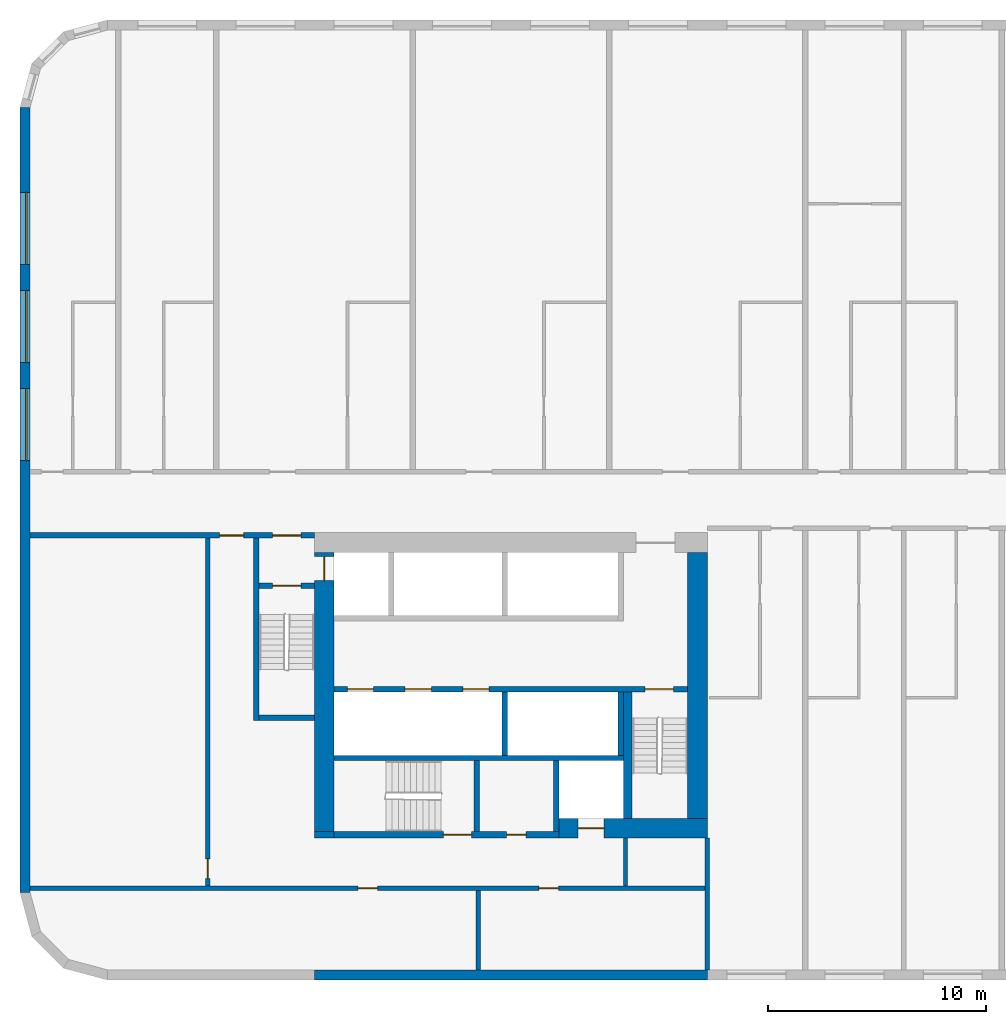
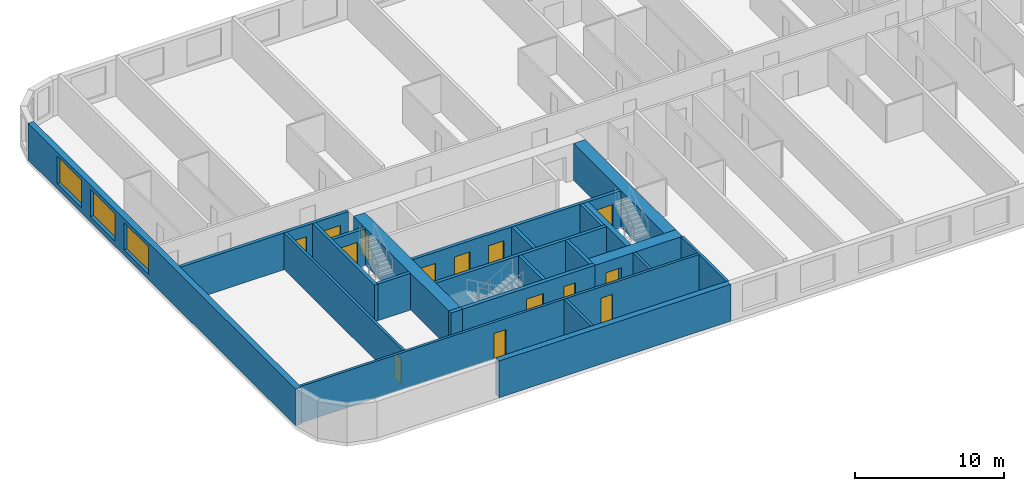
# One storey, part 2 of 12: 23 walls, 14 doors, 3 windows, 17 openings.
"""IFC4 building model written with IfcOpenShell, lengths in metres."""

from ifc_helpers import new_model, si_unit, direction, frame, frame_2d, origin, place, context, subcontext, project, spatial, rectangle, extrude, material, layer, layer_set, type_object, element, fill, save


model = new_model("IFC4")

# Units and contexts
model_context = context("Model", 3, precision=1e-05, world=origin(), true_north=direction((0.0, 1.0)))
body_context = subcontext(model_context, "Body", "Model", "MODEL_VIEW")
ifc_project = project(units=[si_unit("LENGTHUNIT", "METRE"), si_unit("AREAUNIT", "SQUARE_METRE"), si_unit("VOLUMEUNIT", "CUBIC_METRE"), si_unit("PLANEANGLEUNIT", "RADIAN"), si_unit("MASSUNIT", "GRAM", prefix="KILO")], contexts=[model_context])

# Site, building, storey
site_placement = place(None, origin())
site = spatial("IfcSite", under=ifc_project, at=site_placement, CompositionType="ELEMENT")
building_placement = place(site_placement, origin())
building = spatial("IfcBuilding", under=site, at=building_placement, Name="Kajstack Hotel Tower", CompositionType="ELEMENT")
storey_placement = place(building_placement, frame((0.0, 0.0, 83.10009765625)))
storey = spatial("IfcBuildingStorey", under=building, at=storey_placement, Name="L16", CompositionType="ELEMENT", Elevation=83.10009765625)

# Wall, opening, door
ifc_material_1 = material(Name="Concrete C60/75", Category="concrete")
ifc_layer_1 = layer(ifc_material_1, 0.89990234375)
ifc_layer_set_1 = layer_set([ifc_layer_1], Name="Core wall 900")
wall_type_1 = type_object("IfcWallType", Name="Core wall 900", PredefinedType="SHEAR", material=ifc_layer_set_1)
wall_1_placement = place(storey_placement, frame((-20.300048828125, -15.050048828125, 0.0), z_axis=(0.0, 0.0, 1.0), x_axis=(1.0, 0.0, 0.0)))
wall_1 = element("IfcWall", 1, at=wall_1_placement, inside=storey, type_object=wall_type_1, Name="Core wall W RS", PredefinedType="SHEAR", context=body_context, shape_type="SweptSolid", body=[
    extrude(rectangle(XDim=6.800048828125, YDim=0.89990234375, at=frame_2d((3.39990234375, 0.0))), origin(), (0.0, 0.0, 1.0), 3.02001953125),
])
opening_1_placement = place(wall_1_placement, frame((0.875, 0.0, 0.0)))
opening_1 = element("IfcOpeningElement", 2, at=opening_1_placement, cuts=wall_1, Name="Opening LD-SV1", PredefinedType="OPENING", context=body_context, shape_type="SweptSolid", body=[
    extrude(rectangle(XDim=1.199951171875, YDim=2.10009765625, at=frame_2d((0.60009765625, 1.050048828125))), frame((0.0, 0.4599609375, 0.0), z_axis=(0.0, -1.0, 0.0), x_axis=(1.0, 0.0, 0.0)), (0.0, 0.0, 1.0), 0.919921875),
])
ifc_material_2 = material(Name="Stainless steel", Category="steel")
door_type_1 = type_object("IfcDoorType", Name="Lift landing door 1200", OperationType="SLIDING_TO_LEFT", PredefinedType="DOOR", material=ifc_material_2)
door_1_placement = place(opening_1_placement, origin())
door_1 = element("IfcDoor", 3, at=door_1_placement, inside=storey, type_object=door_type_1, Name="Landing door SV1", OperationType="SLIDING_TO_LEFT", OverallHeight=2.10009765625, OverallWidth=1.199951171875, PredefinedType="DOOR", context=body_context, shape_type="SweptSolid", body=[
    extrude(rectangle(XDim=1.199951171875, YDim=2.10009765625, at=frame_2d((0.60009765625, 1.050048828125))), frame((0.0, 0.02490234375, 0.0), z_axis=(0.0, -1.0, 0.0), x_axis=(1.0, 0.0, 0.0)), (0.0, 0.0, 1.0), 0.050048828125),
])
fill(opening_1, door_1)

# Wall
wall_2_placement = place(storey_placement, frame((-31.5, -15.35009765625, 0.0), z_axis=(0.0, 0.0, 1.0), x_axis=(1.0, 0.0, 0.0)))
element("IfcWall", 4, at=wall_2_placement, inside=storey, type_object=wall_type_1, Name="Core wall W RSW", PredefinedType="SHEAR", context=body_context, shape_type="SweptSolid", body=[
    extrude(rectangle(XDim=0.89990234375, YDim=0.300048828125, at=frame_2d((0.449951171875, 0.0))), origin(), (0.0, 0.0, 1.0), 3.02001953125),
])

# Wall, opening, door
wall_3_placement = place(storey_placement, frame((-31.050048828125, -15.199951171875, 0.0), z_axis=(0.0, 0.0, 1.0), x_axis=(0.0, 1.0, 0.0)))
wall_3 = element("IfcWall", 5, at=wall_3_placement, inside=storey, type_object=wall_type_1, Name="Core wall W RW", PredefinedType="SHEAR", context=body_context, shape_type="SweptSolid", body=[
    extrude(rectangle(XDim=12.800048828125, YDim=0.89990234375, at=frame_2d((6.39990234375, 0.0))), origin(), (0.0, 0.0, 1.0), 3.02001953125),
])
opening_2_placement = place(wall_3_placement, frame((11.5, 0.0, 0.0)))
opening_2 = element("IfcOpeningElement", 6, at=opening_2_placement, cuts=wall_3, Name="Opening LD-FF1", PredefinedType="OPENING", context=body_context, shape_type="SweptSolid", body=[
    extrude(rectangle(XDim=1.10009765625, YDim=2.10009765625, at=frame_2d((0.550048828125, 1.050048828125))), frame((0.0, 0.4599609375, 0.0), z_axis=(0.0, -1.0, 0.0), x_axis=(1.0, 0.0, 0.0)), (0.0, 0.0, 1.0), 0.919921875),
])
door_type_2 = type_object("IfcDoorType", Name="Fire-fighting lift landing door 1100", OperationType="SLIDING_TO_LEFT", PredefinedType="DOOR", material=ifc_material_2)
door_2_placement = place(opening_2_placement, origin())
door_2 = element("IfcDoor", 7, at=door_2_placement, inside=storey, type_object=door_type_2, Name="Landing door FF1", OperationType="SLIDING_TO_RIGHT", OverallHeight=2.10009765625, OverallWidth=1.10009765625, PredefinedType="DOOR", context=body_context, shape_type="SweptSolid", body=[
    extrude(rectangle(XDim=1.10009765625, YDim=2.10009765625, at=frame_2d((0.550048828125, 1.050048828125))), frame((0.0, 0.02490234375, 0.0), z_axis=(0.0, -1.0, 0.0), x_axis=(1.0, 0.0, 0.0)), (0.0, 0.0, 1.0), 0.050048828125),
])
fill(opening_2, door_2)

# Walls
wall_4_placement = place(storey_placement, frame((-13.949951171875, -14.60009765625, 0.0), z_axis=(0.0, 0.0, 1.0), x_axis=(0.0, 1.0, 0.0)))
element("IfcWall", 8, at=wall_4_placement, inside=storey, type_object=wall_type_1, Name="Core wall W RE", PredefinedType="SHEAR", context=body_context, shape_type="SweptSolid", body=[
    extrude(rectangle(XDim=12.2001953125, YDim=0.89990234375, at=frame_2d((6.10009765625, 0.0))), origin(), (0.0, 0.0, 1.0), 3.02001953125),
])
ifc_material_3 = material(Name="Twin-frame gypsum board on steel studs, mineral wool", Category="steel")
ifc_layer_2 = layer(ifc_material_3, 0.199951171875)
ifc_layer_set_2 = layer_set([ifc_layer_2], Name="Demising wall 200")
wall_type_2 = type_object("IfcWallType", Name="Demising wall 200", PredefinedType="PARTITIONING", material=ifc_layer_set_2)
wall_5_placement = place(storey_placement, frame((-13.5, -21.550048828125, 0.0), z_axis=(0.0, 0.0, 1.0), x_axis=(0.0, 1.0, 0.0)))
element("IfcWall", 9, at=wall_5_placement, inside=storey, type_object=wall_type_2, Name="G-wall-L16-002", PredefinedType="PARTITIONING", context=body_context, shape_type="SweptSolid", body=[
    extrude(rectangle(XDim=6.050048828125, YDim=0.199951171875, at=frame_2d((3.02490234375, 0.0))), origin(), (0.0, 0.0, 1.0), 3.02001953125),
])
ifc_material_4 = material(Name="Concrete C40/50", Category="concrete")
ifc_layer_3 = layer(ifc_material_4, 0.449951171875)
ifc_layer_set_3 = layer_set([ifc_layer_3], Name="EW-CORE")
wall_type_3 = type_object("IfcWallType", Name="EW-CORE", PredefinedType="SOLIDWALL", material=ifc_layer_set_3)
wall_6_placement = place(storey_placement, frame((-31.5, -21.77490234375, 0.0), z_axis=(0.0, 0.0, 1.0), x_axis=(1.0, 0.0, 0.0)))
element("IfcWall", 10, at=wall_6_placement, inside=storey, type_object=wall_type_3, Name="E-wall-L16-03-01", PredefinedType="SOLIDWALL", context=body_context, shape_type="SweptSolid", body=[
    extrude(rectangle(XDim=18.0, YDim=0.449951171875, at=frame_2d((9.0, 0.0))), origin(), (0.0, 0.0, 1.0), 3.02001953125),
])

# Wall, openings, windows
ifc_material_5 = material(Name="Terracotta-faced brick masonry", Category="masonry")
ifc_layer_4 = layer(ifc_material_5, 0.449951171875)
ifc_layer_set_4 = layer_set([ifc_layer_4], Name="EW-TERRA")
wall_type_4 = type_object("IfcWallType", Name="EW-TERRA", PredefinedType="SOLIDWALL", material=ifc_layer_set_4)
wall_7_placement = place(storey_placement, frame((-44.77490234375, 18.0, 0.0), z_axis=(0.0, 0.0, 1.0), x_axis=(0.0, -1.0, 0.0)))
wall_7 = element("IfcWall", 11, at=wall_7_placement, inside=storey, type_object=wall_type_4, Name="E-wall-L16-15-00", PredefinedType="SOLIDWALL", context=body_context, shape_type="SweptSolid", body=[
    extrude(rectangle(XDim=36.0, YDim=0.449951171875, at=frame_2d((18.0, 0.0))), origin(), (0.0, 0.0, 1.0), 3.02001953125),
])
opening_3_placement = place(wall_7_placement, frame((3.89990234375, 0.0, 0.449951171875)))
opening_3 = element("IfcOpeningElement", 12, at=opening_3_placement, cuts=wall_7, Name="Opening W2", PredefinedType="OPENING", context=body_context, shape_type="SweptSolid", body=[
    extrude(rectangle(XDim=3.300048828125, YDim=2.25, at=frame_2d((1.64990234375, 1.125))), frame((0.0, 0.23486328125, 0.0), z_axis=(0.0, -1.0, 0.0), x_axis=(1.0, 0.0, 0.0)), (0.0, 0.0, 1.0), 0.469970703125),
])
opening_4_placement = place(wall_7_placement, frame((8.39990234375, 0.0, 0.449951171875)))
opening_4 = element("IfcOpeningElement", 13, at=opening_4_placement, cuts=wall_7, Name="Opening W2", PredefinedType="OPENING", context=body_context, shape_type="SweptSolid", body=[
    extrude(rectangle(XDim=3.300048828125, YDim=2.25, at=frame_2d((1.64990234375, 1.125))), frame((0.0, 0.23486328125, 0.0), z_axis=(0.0, -1.0, 0.0), x_axis=(1.0, 0.0, 0.0)), (0.0, 0.0, 1.0), 0.469970703125),
])
opening_5_placement = place(wall_7_placement, frame((12.89990234375, 0.0, 0.449951171875)))
opening_5 = element("IfcOpeningElement", 14, at=opening_5_placement, cuts=wall_7, Name="Opening W2", PredefinedType="OPENING", context=body_context, shape_type="SweptSolid", body=[
    extrude(rectangle(XDim=3.300048828125, YDim=2.25, at=frame_2d((1.64990234375, 1.125))), frame((0.0, 0.23486328125, 0.0), z_axis=(0.0, -1.0, 0.0), x_axis=(1.0, 0.0, 0.0)), (0.0, 0.0, 1.0), 0.469970703125),
])
ifc_material_6 = material(Name="Timber-aluminium window, triple glazed", Category="wood")
window_type = type_object("IfcWindowType", Name="WG2", PartitioningType="SINGLE_PANEL", PredefinedType="WINDOW", material=ifc_material_6)
window_1_placement = place(opening_3_placement, origin())
window_1 = element("IfcWindow", 15, at=window_1_placement, inside=storey, type_object=window_type, Name="Window W2 L16-15", OverallHeight=2.25, OverallWidth=3.300048828125, PartitioningType="SINGLE_PANEL", PredefinedType="WINDOW", context=body_context, shape_type="SweptSolid", body=[
    extrude(rectangle(XDim=3.300048828125, YDim=2.25, at=frame_2d((1.64990234375, 1.125))), frame((0.0, 0.090087890625, 0.0), z_axis=(0.0, -1.0, 0.0), x_axis=(1.0, 0.0, 0.0)), (0.0, 0.0, 1.0), 0.06005859375),
])
fill(opening_3, window_1)
window_2_placement = place(opening_4_placement, origin())
window_2 = element("IfcWindow", 16, at=window_2_placement, inside=storey, type_object=window_type, Name="Window W2 L16-15", OverallHeight=2.25, OverallWidth=3.300048828125, PartitioningType="SINGLE_PANEL", PredefinedType="WINDOW", context=body_context, shape_type="SweptSolid", body=[
    extrude(rectangle(XDim=3.300048828125, YDim=2.25, at=frame_2d((1.64990234375, 1.125))), frame((0.0, 0.090087890625, 0.0), z_axis=(0.0, -1.0, 0.0), x_axis=(1.0, 0.0, 0.0)), (0.0, 0.0, 1.0), 0.06005859375),
])
fill(opening_4, window_2)
window_3_placement = place(opening_5_placement, origin())
window_3 = element("IfcWindow", 17, at=window_3_placement, inside=storey, type_object=window_type, Name="Window W2 L16-15", OverallHeight=2.25, OverallWidth=3.300048828125, PartitioningType="SINGLE_PANEL", PredefinedType="WINDOW", context=body_context, shape_type="SweptSolid", body=[
    extrude(rectangle(XDim=3.300048828125, YDim=2.25, at=frame_2d((1.64990234375, 1.125))), frame((0.0, 0.090087890625, 0.0), z_axis=(0.0, -1.0, 0.0), x_axis=(1.0, 0.0, 0.0)), (0.0, 0.0, 1.0), 0.06005859375),
])
fill(opening_5, window_3)

# Wall
ifc_material_7 = material(Name="Concrete C50/60", Category="concrete")
ifc_layer_5 = layer(ifc_material_7, 0.300048828125)
ifc_layer_set_5 = layer_set([ifc_layer_5], Name="Hoistway divider wall 300")
wall_type_5 = type_object("IfcWallType", Name="Hoistway divider wall 300", PredefinedType="SHEAR", material=ifc_layer_set_5)
wall_8_placement = place(storey_placement, frame((-22.77490234375, -11.699951171875, 0.0), z_axis=(0.0, 0.0, 1.0), x_axis=(0.0, 1.0, 0.0)))
element("IfcWall", 18, at=wall_8_placement, inside=storey, type_object=wall_type_5, Name="Core wall W BP2", PredefinedType="SHEAR", context=body_context, shape_type="SweptSolid", body=[
    extrude(rectangle(XDim=2.89990234375, YDim=0.25, at=frame_2d((1.449951171875, 0.0))), origin(), (0.0, 0.0, 1.0), 3.02001953125),
])

# Wall, openings, doors
ifc_material_8 = material(Name="Gypsum board on steel studs, mineral wool", Category="steel")
ifc_layer_6 = layer(ifc_material_8, 0.199951171875)
ifc_layer_set_6 = layer_set([ifc_layer_6], Name="Service partition 200")
wall_type_6 = type_object("IfcWallType", Name="Service partition 200", PredefinedType="PARTITIONING", material=ifc_layer_set_6)
wall_9_placement = place(storey_placement, frame((-44.550048828125, -1.625, 0.0), z_axis=(0.0, 0.0, 1.0), x_axis=(1.0, 0.0, 0.0)))
wall_9 = element("IfcWall", 19, at=wall_9_placement, inside=storey, type_object=wall_type_6, Name="Partition W SN", PredefinedType="PARTITIONING", context=body_context, shape_type="SweptSolid", body=[
    extrude(rectangle(XDim=13.050048828125, YDim=0.25, at=frame_2d((6.52490234375, 0.0))), origin(), (0.0, 0.0, 1.0), 3.02001953125),
])
opening_6_placement = place(wall_9_placement, frame((11.125, 0.0, 0.0)))
opening_6 = element("IfcOpeningElement", 20, at=opening_6_placement, cuts=wall_9, Name="Opening 16W07", PredefinedType="OPENING", context=body_context, shape_type="SweptSolid", body=[
    extrude(rectangle(XDim=1.300048828125, YDim=2.10009765625, at=frame_2d((0.64990234375, 1.050048828125))), frame((0.0, 0.135009765625, 0.0), z_axis=(0.0, -1.0, 0.0), x_axis=(1.0, 0.0, 0.0)), (0.0, 0.0, 1.0), 0.27001953125),
])
opening_7_placement = place(wall_9_placement, frame((8.699951171875, 0.0, 0.0)))
opening_7 = element("IfcOpeningElement", 21, at=opening_7_placement, cuts=wall_9, Name="Opening 16W09", PredefinedType="OPENING", context=body_context, shape_type="SweptSolid", body=[
    extrude(rectangle(XDim=1.10009765625, YDim=2.10009765625, at=frame_2d((0.550048828125, 1.050048828125))), frame((0.0, 0.135009765625, 0.0), z_axis=(0.0, -1.0, 0.0), x_axis=(1.0, 0.0, 0.0)), (0.0, 0.0, 1.0), 0.27001953125),
])
ifc_material_9 = material(Name="Steel leaf, fire-rated", Category="steel")
door_type_3 = type_object("IfcDoorType", Name="Fire lobby door 1300", OperationType="SINGLE_SWING_LEFT", PredefinedType="DOOR", material=ifc_material_9)
door_3_placement = place(opening_6_placement, origin())
door_3 = element("IfcDoor", 22, at=door_3_placement, inside=storey, type_object=door_type_3, Name="Door 16W07", OperationType="SINGLE_SWING_RIGHT", OverallHeight=2.10009765625, OverallWidth=1.300048828125, PredefinedType="DOOR", context=body_context, shape_type="SweptSolid", body=[
    extrude(rectangle(XDim=1.300048828125, YDim=2.10009765625, at=frame_2d((0.64990234375, 1.050048828125))), frame((0.0, 0.02490234375, 0.0), z_axis=(0.0, -1.0, 0.0), x_axis=(1.0, 0.0, 0.0)), (0.0, 0.0, 1.0), 0.050048828125),
])
fill(opening_6, door_3)
ifc_material_10 = material(Name="Timber leaf, fire-rated", Category="wood")
door_type_4 = type_object("IfcDoorType", Name="Service corridor door 1100", OperationType="SINGLE_SWING_LEFT", PredefinedType="DOOR", material=ifc_material_10)
door_4_placement = place(opening_7_placement, origin())
door_4 = element("IfcDoor", 23, at=door_4_placement, inside=storey, type_object=door_type_4, Name="Door 16W09", OperationType="SINGLE_SWING_RIGHT", OverallHeight=2.10009765625, OverallWidth=1.10009765625, PredefinedType="DOOR", context=body_context, shape_type="SweptSolid", body=[
    extrude(rectangle(XDim=1.10009765625, YDim=2.10009765625, at=frame_2d((0.550048828125, 1.050048828125))), frame((0.0, 0.02490234375, 0.0), z_axis=(0.0, -1.0, 0.0), x_axis=(1.0, 0.0, 0.0)), (0.0, 0.0, 1.0), 0.050048828125),
])
fill(opening_7, door_4)

# Wall
wall_10_placement = place(storey_placement, frame((-17.25, -17.699951171875, 0.0), z_axis=(0.0, 0.0, 1.0), x_axis=(0.0, 1.0, 0.0)))
element("IfcWall", 24, at=wall_10_placement, inside=storey, type_object=wall_type_6, Name="Partition W SCE", PredefinedType="PARTITIONING", context=body_context, shape_type="SweptSolid", body=[
    extrude(rectangle(XDim=2.199951171875, YDim=0.199951171875, at=frame_2d((1.10009765625, 0.0))), origin(), (0.0, 0.0, 1.0), 3.02001953125),
])

# Wall, opening, door
wall_11_placement = place(storey_placement, frame((-36.39990234375, -17.699951171875, 0.0), z_axis=(0.0, 0.0, 1.0), x_axis=(0.0, 1.0, 0.0)))
wall_11 = element("IfcWall", 25, at=wall_11_placement, inside=storey, type_object=wall_type_6, Name="Partition W WRE", PredefinedType="PARTITIONING", context=body_context, shape_type="SweptSolid", body=[
    extrude(rectangle(XDim=15.949951171875, YDim=0.199951171875, at=frame_2d((7.97509765625, 0.0))), origin(), (0.0, 0.0, 1.0), 3.02001953125),
])
opening_8_placement = place(wall_11_placement, frame((0.35009765625, 0.0, 0.0)))
opening_8 = element("IfcOpeningElement", 26, at=opening_8_placement, cuts=wall_11, Name="Opening 16W15", PredefinedType="OPENING", context=body_context, shape_type="SweptSolid", body=[
    extrude(rectangle(XDim=0.89990234375, YDim=2.10009765625, at=frame_2d((0.449951171875, 1.050048828125))), frame((0.0, 0.10986328125, 0.0), z_axis=(0.0, -1.0, 0.0), x_axis=(1.0, 0.0, 0.0)), (0.0, 0.0, 1.0), 0.219970703125),
])
door_type_5 = type_object("IfcDoorType", Name="Service door 900", OperationType="SINGLE_SWING_LEFT", PredefinedType="DOOR", material=ifc_material_10)
door_5_placement = place(opening_8_placement, origin())
door_5 = element("IfcDoor", 27, at=door_5_placement, inside=storey, type_object=door_type_5, Name="Door 16W15", OperationType="SINGLE_SWING_LEFT", OverallHeight=2.10009765625, OverallWidth=0.89990234375, PredefinedType="DOOR", context=body_context, shape_type="SweptSolid", body=[
    extrude(rectangle(XDim=0.89990234375, YDim=2.10009765625, at=frame_2d((0.449951171875, 1.050048828125))), frame((0.0, 0.02490234375, 0.0), z_axis=(0.0, -1.0, 0.0), x_axis=(1.0, 0.0, 0.0)), (0.0, 0.0, 1.0), 0.050048828125),
])
fill(opening_8, door_5)

# Wall, openings, doors
wall_12_placement = place(storey_placement, frame((-44.550048828125, -17.800048828125, 0.0), z_axis=(0.0, 0.0, 1.0), x_axis=(1.0, 0.0, 0.0)))
wall_12 = element("IfcWall", 28, at=wall_12_placement, inside=storey, type_object=wall_type_6, Name="Partition W SLN", PredefinedType="PARTITIONING", context=body_context, shape_type="SweptSolid", body=[
    extrude(rectangle(XDim=30.949951171875, YDim=0.199951171875, at=frame_2d((15.47509765625, 0.0))), origin(), (0.0, 0.0, 1.0), 3.02001953125),
])
opening_9_placement = place(wall_12_placement, frame((15.03759765625, 0.0, 0.0)))
opening_9 = element("IfcOpeningElement", 29, at=opening_9_placement, cuts=wall_12, Name="Opening 16W13", PredefinedType="OPENING", context=body_context, shape_type="SweptSolid", body=[
    extrude(rectangle(XDim=0.89990234375, YDim=2.10009765625, at=frame_2d((0.449951171875, 1.050048828125))), frame((0.0, 0.10986328125, 0.0), z_axis=(0.0, -1.0, 0.0), x_axis=(1.0, 0.0, 0.0)), (0.0, 0.0, 1.0), 0.219970703125),
])
opening_10_placement = place(wall_12_placement, frame((23.33740234375, 0.0, 0.0)))
opening_10 = element("IfcOpeningElement", 30, at=opening_10_placement, cuts=wall_12, Name="Opening 16W14", PredefinedType="OPENING", context=body_context, shape_type="SweptSolid", body=[
    extrude(rectangle(XDim=0.89990234375, YDim=2.10009765625, at=frame_2d((0.449951171875, 1.050048828125))), frame((0.0, 0.10986328125, 0.0), z_axis=(0.0, -1.0, 0.0), x_axis=(1.0, 0.0, 0.0)), (0.0, 0.0, 1.0), 0.219970703125),
])
door_6_placement = place(opening_9_placement, origin())
door_6 = element("IfcDoor", 31, at=door_6_placement, inside=storey, type_object=door_type_5, Name="Door 16W13", OperationType="SINGLE_SWING_RIGHT", OverallHeight=2.10009765625, OverallWidth=0.89990234375, PredefinedType="DOOR", context=body_context, shape_type="SweptSolid", body=[
    extrude(rectangle(XDim=0.89990234375, YDim=2.10009765625, at=frame_2d((0.449951171875, 1.050048828125))), frame((0.0, 0.02490234375, 0.0), z_axis=(0.0, -1.0, 0.0), x_axis=(1.0, 0.0, 0.0)), (0.0, 0.0, 1.0), 0.050048828125),
])
fill(opening_9, door_6)
door_7_placement = place(opening_10_placement, origin())
door_7 = element("IfcDoor", 32, at=door_7_placement, inside=storey, type_object=door_type_5, Name="Door 16W14", OperationType="SINGLE_SWING_RIGHT", OverallHeight=2.10009765625, OverallWidth=0.89990234375, PredefinedType="DOOR", context=body_context, shape_type="SweptSolid", body=[
    extrude(rectangle(XDim=0.89990234375, YDim=2.10009765625, at=frame_2d((0.449951171875, 1.050048828125))), frame((0.0, 0.02490234375, 0.0), z_axis=(0.0, -1.0, 0.0), x_axis=(1.0, 0.0, 0.0)), (0.0, 0.0, 1.0), 0.050048828125),
])
fill(opening_10, door_7)

# Wall
wall_13_placement = place(storey_placement, frame((-24.0, -21.550048828125, 0.0), z_axis=(0.0, 0.0, 1.0), x_axis=(0.0, 1.0, 0.0)))
element("IfcWall", 33, at=wall_13_placement, inside=storey, type_object=wall_type_6, Name="Partition W SLP0", PredefinedType="PARTITIONING", context=body_context, shape_type="SweptSolid", body=[
    extrude(rectangle(XDim=3.650146484375, YDim=0.199951171875, at=frame_2d((1.8251953125, 0.0))), origin(), (0.0, 0.0, 1.0), 3.02001953125),
])

# Wall, openings, doors
ifc_layer_7 = layer(ifc_material_7, 0.25)
ifc_layer_set_7 = layer_set([ifc_layer_7], Name="Shaft wall 250")
wall_type_7 = type_object("IfcWallType", Name="Shaft wall 250", PredefinedType="SHEAR", material=ifc_layer_set_7)
wall_14_placement = place(storey_placement, frame((-30.60009765625, -15.35009765625, 0.0), z_axis=(0.0, 0.0, 1.0), x_axis=(1.0, 0.0, 0.0)))
wall_14 = element("IfcWall", 34, at=wall_14_placement, inside=storey, type_object=wall_type_7, Name="Core wall W RSS", PredefinedType="SHEAR", context=body_context, shape_type="SweptSolid", body=[
    extrude(rectangle(XDim=10.300048828125, YDim=0.300048828125, at=frame_2d((5.14990234375, 0.0))), origin(), (0.0, 0.0, 1.0), 3.02001953125),
])
opening_11_placement = place(wall_14_placement, frame((5.0, 0.0, 0.0)))
opening_11 = element("IfcOpeningElement", 35, at=opening_11_placement, cuts=wall_14, Name="Opening 16W11", PredefinedType="OPENING", context=body_context, shape_type="SweptSolid", body=[
    extrude(rectangle(XDim=1.300048828125, YDim=2.10009765625, at=frame_2d((0.64990234375, 1.050048828125))), frame((0.0, 0.159912109375, 0.0), z_axis=(0.0, -1.0, 0.0), x_axis=(1.0, 0.0, 0.0)), (0.0, 0.0, 1.0), 0.320068359375),
])
opening_12_placement = place(wall_14_placement, frame((7.89990234375, 0.0, 0.0)))
opening_12 = element("IfcOpeningElement", 36, at=opening_12_placement, cuts=wall_14, Name="Opening 16W12", PredefinedType="OPENING", context=body_context, shape_type="SweptSolid", body=[
    extrude(rectangle(XDim=0.89990234375, YDim=2.10009765625, at=frame_2d((0.449951171875, 1.050048828125))), frame((0.0, 0.159912109375, 0.0), z_axis=(0.0, -1.0, 0.0), x_axis=(1.0, 0.0, 0.0)), (0.0, 0.0, 1.0), 0.320068359375),
])
door_8_placement = place(opening_12_placement, origin())
door_8 = element("IfcDoor", 37, at=door_8_placement, inside=storey, type_object=door_type_5, Name="Door 16W12", OperationType="SINGLE_SWING_LEFT", OverallHeight=2.10009765625, OverallWidth=0.89990234375, PredefinedType="DOOR", context=body_context, shape_type="SweptSolid", body=[
    extrude(rectangle(XDim=0.89990234375, YDim=2.10009765625, at=frame_2d((0.449951171875, 1.050048828125))), frame((0.0, 0.02490234375, 0.0), z_axis=(0.0, -1.0, 0.0), x_axis=(1.0, 0.0, 0.0)), (0.0, 0.0, 1.0), 0.050048828125),
])
fill(opening_12, door_8)
door_type_6 = type_object("IfcDoorType", Name="Stair door 1300", OperationType="SINGLE_SWING_LEFT", PredefinedType="DOOR", material=ifc_material_9)
door_9_placement = place(opening_11_placement, origin())
door_9 = element("IfcDoor", 38, at=door_9_placement, inside=storey, type_object=door_type_6, Name="Door 16W11", OperationType="SINGLE_SWING_RIGHT", OverallHeight=2.10009765625, OverallWidth=1.300048828125, PredefinedType="DOOR", context=body_context, shape_type="SweptSolid", body=[
    extrude(rectangle(XDim=1.300048828125, YDim=2.10009765625, at=frame_2d((0.64990234375, 1.050048828125))), frame((0.0, 0.02490234375, 0.0), z_axis=(0.0, -1.0, 0.0), x_axis=(1.0, 0.0, 0.0)), (0.0, 0.0, 1.0), 0.050048828125),
])
fill(opening_11, door_9)

wall_15_placement = place(storey_placement, frame((-30.60009765625, -8.675048828125, 0.0), z_axis=(0.0, 0.0, 1.0), x_axis=(1.0, 0.0, 0.0)))
wall_15 = element("IfcWall", 39, at=wall_15_placement, inside=storey, type_object=wall_type_7, Name="Core wall W FB", PredefinedType="SHEAR", context=body_context, shape_type="SweptSolid", body=[
    extrude(rectangle(XDim=16.2001953125, YDim=0.25, at=frame_2d((8.10009765625, 0.0))), origin(), (0.0, 0.0, 1.0), 3.02001953125),
])
opening_13_placement = place(wall_15_placement, frame((0.60009765625, 0.0, 0.0)))
opening_13 = element("IfcOpeningElement", 40, at=opening_13_placement, cuts=wall_15, Name="Opening LD-LR1", PredefinedType="OPENING", context=body_context, shape_type="SweptSolid", body=[
    extrude(rectangle(XDim=1.199951171875, YDim=2.10009765625, at=frame_2d((0.60009765625, 1.050048828125))), frame((0.0, 0.135009765625, 0.0), z_axis=(0.0, -1.0, 0.0), x_axis=(1.0, 0.0, 0.0)), (0.0, 0.0, 1.0), 0.27001953125),
])
opening_14_placement = place(wall_15_placement, frame((3.25, 0.0, 0.0)))
opening_14 = element("IfcOpeningElement", 41, at=opening_14_placement, cuts=wall_15, Name="Opening LD-LR2", PredefinedType="OPENING", context=body_context, shape_type="SweptSolid", body=[
    extrude(rectangle(XDim=1.199951171875, YDim=2.10009765625, at=frame_2d((0.60009765625, 1.050048828125))), frame((0.0, 0.135009765625, 0.0), z_axis=(0.0, -1.0, 0.0), x_axis=(1.0, 0.0, 0.0)), (0.0, 0.0, 1.0), 0.27001953125),
])
opening_15_placement = place(wall_15_placement, frame((5.89990234375, 0.0, 0.0)))
opening_15 = element("IfcOpeningElement", 42, at=opening_15_placement, cuts=wall_15, Name="Opening LD-LR3", PredefinedType="OPENING", context=body_context, shape_type="SweptSolid", body=[
    extrude(rectangle(XDim=1.199951171875, YDim=2.10009765625, at=frame_2d((0.60009765625, 1.050048828125))), frame((0.0, 0.135009765625, 0.0), z_axis=(0.0, -1.0, 0.0), x_axis=(1.0, 0.0, 0.0)), (0.0, 0.0, 1.0), 0.27001953125),
])
opening_16_placement = place(wall_15_placement, frame((14.25, 0.0, 0.0)))
opening_16 = element("IfcOpeningElement", 43, at=opening_16_placement, cuts=wall_15, Name="Opening 16W10", PredefinedType="OPENING", context=body_context, shape_type="SweptSolid", body=[
    extrude(rectangle(XDim=1.300048828125, YDim=2.10009765625, at=frame_2d((0.64990234375, 1.050048828125))), frame((0.0, 0.135009765625, 0.0), z_axis=(0.0, -1.0, 0.0), x_axis=(1.0, 0.0, 0.0)), (0.0, 0.0, 1.0), 0.27001953125),
])
door_10_placement = place(opening_13_placement, origin())
door_10 = element("IfcDoor", 44, at=door_10_placement, inside=storey, type_object=door_type_1, Name="Landing door LR1", OperationType="SLIDING_TO_LEFT", OverallHeight=2.10009765625, OverallWidth=1.199951171875, PredefinedType="DOOR", context=body_context, shape_type="SweptSolid", body=[
    extrude(rectangle(XDim=1.199951171875, YDim=2.10009765625, at=frame_2d((0.60009765625, 1.050048828125))), frame((0.0, 0.02490234375, 0.0), z_axis=(0.0, -1.0, 0.0), x_axis=(1.0, 0.0, 0.0)), (0.0, 0.0, 1.0), 0.050048828125),
])
fill(opening_13, door_10)
door_11_placement = place(opening_14_placement, origin())
door_11 = element("IfcDoor", 45, at=door_11_placement, inside=storey, type_object=door_type_1, Name="Landing door LR2", OperationType="SLIDING_TO_RIGHT", OverallHeight=2.10009765625, OverallWidth=1.199951171875, PredefinedType="DOOR", context=body_context, shape_type="SweptSolid", body=[
    extrude(rectangle(XDim=1.199951171875, YDim=2.10009765625, at=frame_2d((0.60009765625, 1.050048828125))), frame((0.0, 0.02490234375, 0.0), z_axis=(0.0, -1.0, 0.0), x_axis=(1.0, 0.0, 0.0)), (0.0, 0.0, 1.0), 0.050048828125),
])
fill(opening_14, door_11)
door_12_placement = place(opening_15_placement, origin())
door_12 = element("IfcDoor", 46, at=door_12_placement, inside=storey, type_object=door_type_1, Name="Landing door LR3", OperationType="SLIDING_TO_RIGHT", OverallHeight=2.10009765625, OverallWidth=1.199951171875, PredefinedType="DOOR", context=body_context, shape_type="SweptSolid", body=[
    extrude(rectangle(XDim=1.199951171875, YDim=2.10009765625, at=frame_2d((0.60009765625, 1.050048828125))), frame((0.0, 0.02490234375, 0.0), z_axis=(0.0, -1.0, 0.0), x_axis=(1.0, 0.0, 0.0)), (0.0, 0.0, 1.0), 0.050048828125),
])
fill(opening_15, door_12)
door_13_placement = place(opening_16_placement, origin())
door_13 = element("IfcDoor", 47, at=door_13_placement, inside=storey, type_object=door_type_6, Name="Door 16W10", OperationType="SINGLE_SWING_RIGHT", OverallHeight=2.10009765625, OverallWidth=1.300048828125, PredefinedType="DOOR", context=body_context, shape_type="SweptSolid", body=[
    extrude(rectangle(XDim=1.300048828125, YDim=2.10009765625, at=frame_2d((0.64990234375, 1.050048828125))), frame((0.0, 0.02490234375, 0.0), z_axis=(0.0, -1.0, 0.0), x_axis=(1.0, 0.0, 0.0)), (0.0, 0.0, 1.0), 0.050048828125),
])
fill(opening_16, door_13)

# Walls
wall_16_placement = place(storey_placement, frame((-30.60009765625, -11.824951171875, 0.0), z_axis=(0.0, 0.0, 1.0), x_axis=(1.0, 0.0, 0.0)))
element("IfcWall", 48, at=wall_16_placement, inside=storey, type_object=wall_type_7, Name="Core wall W RB", PredefinedType="SHEAR", context=body_context, shape_type="SweptSolid", body=[
    extrude(rectangle(XDim=13.25, YDim=0.25, at=frame_2d((6.625, 0.0))), origin(), (0.0, 0.0, 1.0), 3.02001953125),
])
wall_17_placement = place(storey_placement, frame((-17.47509765625, -11.699951171875, 0.0), z_axis=(0.0, 0.0, 1.0), x_axis=(0.0, 1.0, 0.0)))
element("IfcWall", 49, at=wall_17_placement, inside=storey, type_object=wall_type_7, Name="Core wall W BE", PredefinedType="SHEAR", context=body_context, shape_type="SweptSolid", body=[
    extrude(rectangle(XDim=2.89990234375, YDim=0.25, at=frame_2d((1.449951171875, 0.0))), origin(), (0.0, 0.0, 1.0), 3.02001953125),
])
wall_18_placement = place(storey_placement, frame((-20.425048828125, -15.199951171875, 0.0), z_axis=(0.0, 0.0, 1.0), x_axis=(0.0, 1.0, 0.0)))
element("IfcWall", 50, at=wall_18_placement, inside=storey, type_object=wall_type_7, Name="Core wall W SVW", PredefinedType="SHEAR", context=body_context, shape_type="SweptSolid", body=[
    extrude(rectangle(XDim=3.25, YDim=0.25, at=frame_2d((1.625, 0.0))), origin(), (0.0, 0.0, 1.0), 3.02001953125),
])

# Wall, opening, door
ifc_layer_8 = layer(ifc_material_4, 0.25)
ifc_layer_set_8 = layer_set([ifc_layer_8], Name="Stair enclosure wall 250")
wall_type_8 = type_object("IfcWallType", Name="Stair enclosure wall 250", PredefinedType="SHEAR", material=ifc_layer_set_8)
wall_19_placement = place(storey_placement, frame((-34.050048828125, -3.925048828125, 0.0), z_axis=(0.0, 0.0, 1.0), x_axis=(1.0, 0.0, 0.0)))
wall_19 = element("IfcWall", 51, at=wall_19_placement, inside=storey, type_object=wall_type_8, Name="Core wall W W1N", PredefinedType="SHEAR", context=body_context, shape_type="SweptSolid", body=[
    extrude(rectangle(XDim=2.550048828125, YDim=0.25, at=frame_2d((1.27490234375, 0.0))), origin(), (0.0, 0.0, 1.0), 3.02001953125),
])
opening_17_placement = place(wall_19_placement, frame((0.625, 0.0, 0.0)))
opening_17 = element("IfcOpeningElement", 52, at=opening_17_placement, cuts=wall_19, Name="Opening 16W08", PredefinedType="OPENING", context=body_context, shape_type="SweptSolid", body=[
    extrude(rectangle(XDim=1.300048828125, YDim=2.10009765625, at=frame_2d((0.64990234375, 1.050048828125))), frame((0.0, 0.135009765625, 0.0), z_axis=(0.0, -1.0, 0.0), x_axis=(1.0, 0.0, 0.0)), (0.0, 0.0, 1.0), 0.27001953125),
])
door_14_placement = place(opening_17_placement, origin())
door_14 = element("IfcDoor", 53, at=door_14_placement, inside=storey, type_object=door_type_6, Name="Door 16W08", OperationType="SINGLE_SWING_RIGHT", OverallHeight=2.10009765625, OverallWidth=1.300048828125, PredefinedType="DOOR", context=body_context, shape_type="SweptSolid", body=[
    extrude(rectangle(XDim=1.300048828125, YDim=2.10009765625, at=frame_2d((0.64990234375, 1.050048828125))), frame((0.0, 0.02490234375, 0.0), z_axis=(0.0, -1.0, 0.0), x_axis=(1.0, 0.0, 0.0)), (0.0, 0.0, 1.0), 0.050048828125),
])
fill(opening_17, door_14)

# Walls
wall_20_placement = place(storey_placement, frame((-34.175048828125, -10.10009765625, 0.0), z_axis=(0.0, 0.0, 1.0), x_axis=(0.0, 1.0, 0.0)))
element("IfcWall", 54, at=wall_20_placement, inside=storey, type_object=wall_type_8, Name="Core wall W W1W", PredefinedType="SHEAR", context=body_context, shape_type="SweptSolid", body=[
    extrude(rectangle(XDim=8.35009765625, YDim=0.25, at=frame_2d((4.175048828125, 0.0))), origin(), (0.0, 0.0, 1.0), 3.02001953125),
])
wall_21_placement = place(storey_placement, frame((-34.050048828125, -9.97509765625, 0.0), z_axis=(0.0, 0.0, 1.0), x_axis=(1.0, 0.0, 0.0)))
element("IfcWall", 55, at=wall_21_placement, inside=storey, type_object=wall_type_8, Name="Core wall W W1S", PredefinedType="SHEAR", context=body_context, shape_type="SweptSolid", body=[
    extrude(rectangle(XDim=2.550048828125, YDim=0.25, at=frame_2d((1.27490234375, 0.0))), origin(), (0.0, 0.0, 1.0), 3.02001953125),
])
ifc_layer_9 = layer(ifc_material_7, 0.35009765625)
ifc_layer_set_9 = layer_set([ifc_layer_9], Name="Stair enclosure wall 350")
wall_type_9 = type_object("IfcWallType", Name="Stair enclosure wall 350", PredefinedType="SHEAR", material=ifc_layer_set_9)
wall_22_placement = place(storey_placement, frame((-24.074951171875, -15.199951171875, 0.0), z_axis=(0.0, 0.0, 1.0), x_axis=(0.0, 1.0, 0.0)))
element("IfcWall", 56, at=wall_22_placement, inside=storey, type_object=wall_type_9, Name="Core wall W W3E", PredefinedType="SHEAR", context=body_context, shape_type="SweptSolid", body=[
    extrude(rectangle(XDim=3.25, YDim=0.25, at=frame_2d((1.625, 0.0))), origin(), (0.0, 0.0, 1.0), 3.02001953125),
])
ifc_layer_10 = layer(ifc_material_7, 0.39990234375)
ifc_layer_set_10 = layer_set([ifc_layer_10], Name="Stair wall 400")
wall_type_10 = type_object("IfcWallType", Name="Stair wall 400", PredefinedType="SHEAR", material=ifc_layer_set_10)
wall_23_placement = place(storey_placement, frame((-17.14990234375, -14.60009765625, 0.0), z_axis=(0.0, 0.0, 1.0), x_axis=(0.0, 1.0, 0.0)))
element("IfcWall", 57, at=wall_23_placement, inside=storey, type_object=wall_type_10, Name="Core wall W WW2", PredefinedType="SHEAR", context=body_context, shape_type="SweptSolid", body=[
    extrude(rectangle(XDim=5.800048828125, YDim=0.39990234375, at=frame_2d((2.89990234375, 0.0))), origin(), (0.0, 0.0, 1.0), 3.02001953125),
])

save(model, "model.ifc")
